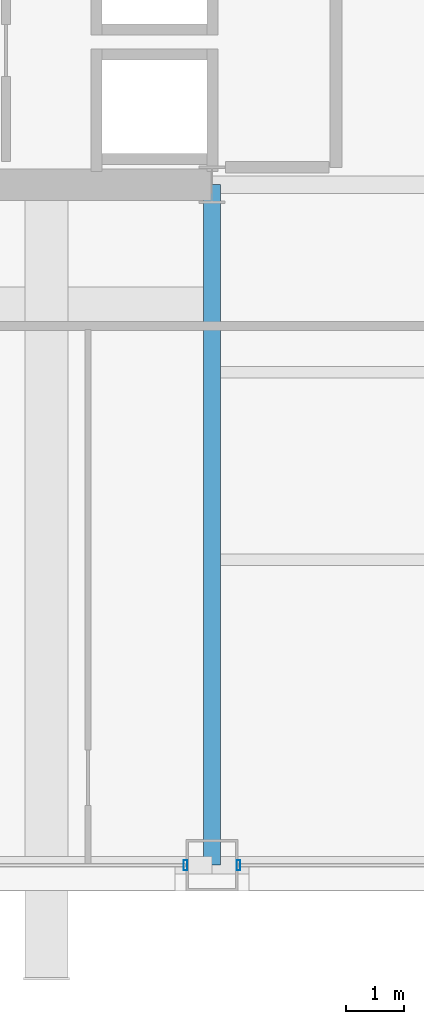
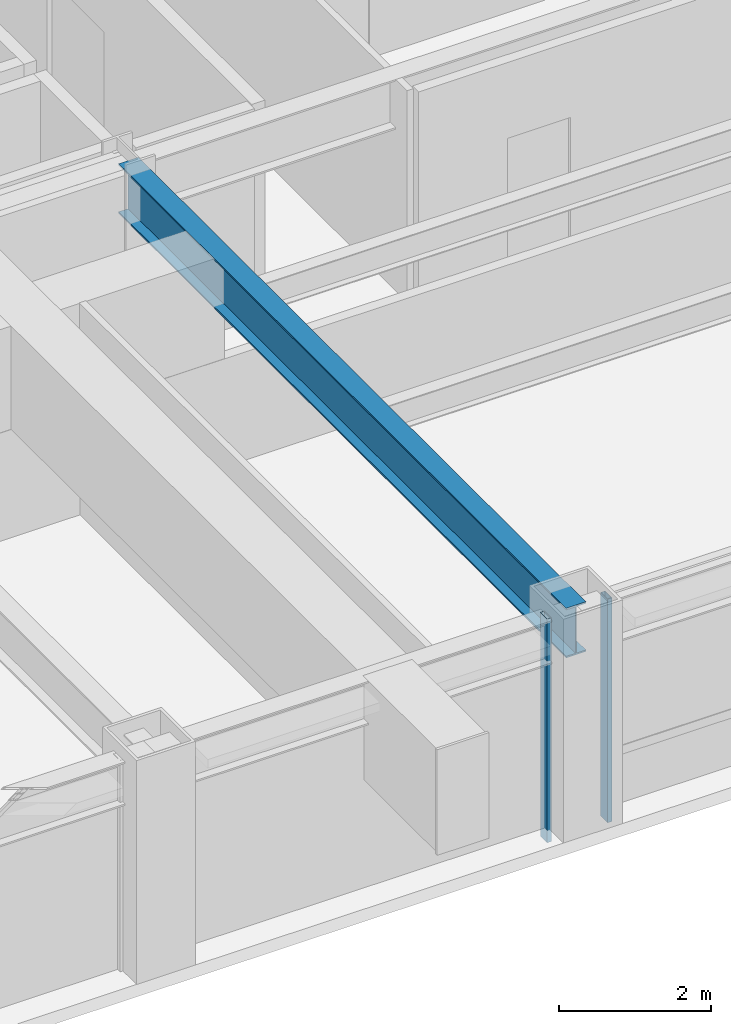
# One storey, part 6 of 29: 2 members, 1 beam, 2 elements without a shape of their own.
"""IFC4 building model written with IfcOpenShell, lengths in metres."""

import ifcopenshell
import ifcopenshell.guid

model = None  # the IFC model being written
_history = None  # IfcOwnerHistory: only IFC2X3 demands one
_inside = {}  # id of a spatial element -> (the spatial element, [elements in it])
_under = {}  # id of a project, library or spatial element -> (it, [spatial elements below it])
_declared = {}  # id of a project -> (the project, [libraries it declares])
_typed = {}  # id of a type object -> (the type object, [elements of that type])
_made_of = {}  # id of a material, layer set ... -> (it, [elements and type objects made of it])


def new_model(schema):
    """Start an empty IFC model of exactly this schema.

    Asked for "IFC4X3", IfcOpenShell would pick the latest addendum, in which some entities
    have other attributes; the version numbers below select the first issue.
    IFC2X3 requires an IfcOwnerHistory on every rooted entity: one is made here for all.
    """
    global model, _history
    if schema == "IFC4X3":
        model = ifcopenshell.file(schema_version=(4, 3, 0, 0))
    else:
        model = ifcopenshell.file(schema=schema)
    _inside.clear()
    _under.clear()
    _declared.clear()
    _typed.clear()
    _made_of.clear()
    _history = None
    if model.schema == "IFC2X3":
        org = make("IfcOrganization", Name="unknown")
        user = make(
            "IfcPersonAndOrganization",
            ThePerson=make("IfcPerson", FamilyName="unknown"),
            TheOrganization=org,
        )
        app = make(
            "IfcApplication",
            ApplicationDeveloper=org,
            Version="unknown",
            ApplicationFullName="unknown",
            ApplicationIdentifier="unknown",
        )
        _history = make(
            "IfcOwnerHistory",
            OwningUser=user,
            OwningApplication=app,
            ChangeAction="ADDED",
            CreationDate=0,
        )
    return model


def make(cls, **values):
    """One entity of the class cls with the attributes given. An attribute that is None is left unset."""
    return model.create_entity(
        cls, **{name: value for name, value in values.items() if value is not None}
    )


def rooted(cls, **values):
    """An entity with a GlobalId (a new one), such as an element, a storey or a relation."""
    return make(cls, GlobalId=ifcopenshell.guid.new(), OwnerHistory=_history, **values)


def si_unit(unit_type, name, prefix=None):
    """IfcSIUnit, for example si_unit("LENGTHUNIT", "METRE", prefix="MILLI")."""
    return make("IfcSIUnit", UnitType=unit_type, Prefix=prefix, Name=name)


def assignment(units):
    """IfcUnitAssignment: the units of a project."""
    return None if units is None else make("IfcUnitAssignment", Units=units)


def point(xyz):
    """IfcCartesianPoint."""
    return None if xyz is None else make("IfcCartesianPoint", Coordinates=xyz)


def direction(xyz):
    """IfcDirection."""
    return None if xyz is None else make("IfcDirection", DirectionRatios=xyz)


def frame(location, z_axis=None, x_axis=None):
    """IfcAxis2Placement3D, a coordinate frame: its origin and axes. An axis left out is left unset."""
    return make(
        "IfcAxis2Placement3D",
        Location=point(location),
        Axis=direction(z_axis),
        RefDirection=direction(x_axis),
    )


def frame_2d(location, x_axis=None):
    """IfcAxis2Placement2D, a coordinate frame in the plane: its origin and x axis."""
    return make(
        "IfcAxis2Placement2D", Location=point(location), RefDirection=direction(x_axis)
    )


def origin():
    """The frame at (0, 0, 0) with its axes left unset."""
    return frame((0.0, 0.0, 0.0))


def origin_2d():
    """The frame at (0, 0) in the plane with its x axis left unset."""
    return frame_2d((0.0, 0.0))


def place(relative_to, where):
    """IfcLocalPlacement: puts the frame where relative to a parent placement (None: the world)."""
    return make(
        "IfcLocalPlacement", PlacementRelTo=relative_to, RelativePlacement=where
    )


def context(
    kind, dimensions, precision=None, world=None, true_north=None, identifier=None
):
    """IfcGeometricRepresentationContext, for example the 3D "Model" context."""
    return make(
        "IfcGeometricRepresentationContext",
        ContextIdentifier=identifier,
        ContextType=kind,
        CoordinateSpaceDimension=dimensions,
        Precision=precision,
        WorldCoordinateSystem=world,
        TrueNorth=true_north,
    )


def subcontext(parent, identifier, kind, view, scale=None):
    """IfcGeometricRepresentationSubContext, for example "Body" below "Model"."""
    return make(
        "IfcGeometricRepresentationSubContext",
        ContextIdentifier=identifier,
        ContextType=kind,
        ParentContext=parent,
        TargetScale=scale,
        TargetView=view,
    )


def project(units=None, contexts=None):
    """IfcProject with its units and contexts."""
    return rooted(
        "IfcProject",
        Name="project",
        RepresentationContexts=contexts,
        UnitsInContext=assignment(units),
    )


def spatial(cls, under=None, at=None, **own):
    """A site, building, storey or space (cls), placed at a placement, below another one or the project."""
    s = rooted(cls, ObjectPlacement=at, **own)
    if under is not None:
        _under.setdefault(under.id(), (under, []))[1].append(s)
    return s


def profile(cls, at=None, kind="AREA", **sizes):
    """A parametric profile (cls). Its sizes go by their IFC names, for example OverallWidth=200.0."""
    return make(cls, ProfileType=kind, Position=at, **sizes)


def hollow_rectangle(**sizes):
    """IfcRectangleHollowProfileDef."""
    return profile("IfcRectangleHollowProfileDef", **sizes)


def i_section(**sizes):
    """IfcIShapeProfileDef."""
    return profile("IfcIShapeProfileDef", **sizes)


def extrude(swept, where, along, depth):
    """IfcExtrudedAreaSolid: the profile swept, set in the frame where, extruded along a direction by depth."""
    return make(
        "IfcExtrudedAreaSolid",
        SweptArea=swept,
        Position=where,
        ExtrudedDirection=direction(along),
        Depth=depth,
    )


def shape(context_of_items, identifier, shape_type, items):
    """IfcShapeRepresentation: the items that make up one representation, for example the "Body"."""
    return make(
        "IfcShapeRepresentation",
        ContextOfItems=context_of_items,
        RepresentationIdentifier=identifier,
        RepresentationType=shape_type,
        Items=items,
    )


def material(Name=None, Category=None):
    """IfcMaterial."""
    return make("IfcMaterial", Name=Name, Category=Category)


def layer(
    of_material, thickness, ventilated=None, Name=None, Category=None, Priority=None
):
    """IfcMaterialLayer: one layer of a wall or slab, of a material (None: an air gap)."""
    return make(
        "IfcMaterialLayer",
        Material=of_material,
        LayerThickness=thickness,
        IsVentilated=ventilated,
        Name=Name,
        Category=Category,
        Priority=Priority,
    )


def layer_set(layers, Name=None):
    """IfcMaterialLayerSet."""
    return make("IfcMaterialLayerSet", MaterialLayers=layers, LayerSetName=Name)


def material_profile(
    of_material, cross_section, Name=None, Category=None, Priority=None
):
    """IfcMaterialProfile: a cross section and its material."""
    return make(
        "IfcMaterialProfile",
        Name=Name,
        Material=of_material,
        Profile=cross_section,
        Priority=Priority,
        Category=Category,
    )


def profile_set(profiles, Name=None, composite=None):
    """IfcMaterialProfileSet."""
    return make(
        "IfcMaterialProfileSet",
        Name=Name,
        MaterialProfiles=profiles,
        CompositeProfile=composite,
    )


def made_of(thing, what):
    """Note that an element or type object is made of a material, layer set ...; save() writes the relation."""
    if what is not None:
        _made_of.setdefault(what.id(), (what, []))[1].append(thing)
    return thing


def type_object(cls, material=None, **own):
    """A type object (cls), such as IfcWallType, which elements share."""
    return made_of(rooted(cls, **own), material)


def element(
    cls,
    number,
    at=None,
    inside=None,
    cuts=None,
    type_object=None,
    material=None,
    context=None,
    identifier="Body",
    shape_type=None,
    held_by="IfcProductDefinitionShape",
    body=None,
    shapes=None,
    **own,
):
    """One element of the class cls, such as IfcWall. Its Tag is "e" and its number.

    at: its placement. inside: the storey or other place that contains it. cuts: it is an
    opening in that element (IfcRelVoidsElement). A single representation is given by context,
    identifier, shape_type and body (its items); several are given by shapes. held_by: the class
    of the entity that holds the representations. save() writes the other relations.
    """
    e = rooted(cls, Tag="e%d" % number, ObjectPlacement=at, **own)
    if body is not None:
        shapes = [shape(context, identifier, shape_type, body)]
    if shapes is not None:
        e.Representation = make(held_by, Representations=shapes)
    if inside is not None:
        _inside.setdefault(inside.id(), (inside, []))[1].append(e)
    if cuts is not None:
        rooted(
            "IfcRelVoidsElement", RelatingBuildingElement=cuts, RelatedOpeningElement=e
        )
    if type_object is not None:
        _typed.setdefault(type_object.id(), (type_object, []))[1].append(e)
    return made_of(e, material)


def aggregate(whole, parts):
    """IfcRelAggregates: a whole, such as a stair, and the parts it consists of."""
    return rooted("IfcRelAggregates", RelatingObject=whole, RelatedObjects=parts)


def save(model, path):
    """Write the relations noted so far, then the file.

    IfcRelAggregates (storeys below a building ...), IfcRelContainedInSpatialStructure (elements
    in a storey), IfcRelDefinesByType, IfcRelAssociatesMaterial and IfcRelDeclares: one each for
    every whole, place, type object, material and project.
    """
    for whole, parts in _under.values():
        aggregate(whole, parts)
    for where, things in _inside.values():
        rooted(
            "IfcRelContainedInSpatialStructure",
            RelatedElements=things,
            RelatingStructure=where,
        )
    for kind, things in _typed.values():
        rooted("IfcRelDefinesByType", RelatedObjects=things, RelatingType=kind)
    for what, things in _made_of.values():
        rooted("IfcRelAssociatesMaterial", RelatedObjects=things, RelatingMaterial=what)
    for by, libraries in _declared.values():
        rooted("IfcRelDeclares", RelatingContext=by, RelatedDefinitions=libraries)
    model.write(path)


model = new_model("IFC4")

# Units and contexts
model_context = context("Model", 3, precision=1e-05, world=origin(), true_north=direction((0.0, 1.0)))
body_context = subcontext(model_context, "Body", "Model", "MODEL_VIEW")
ifc_project = project(units=[si_unit("LENGTHUNIT", "METRE"), si_unit("AREAUNIT", "SQUARE_METRE"), si_unit("VOLUMEUNIT", "CUBIC_METRE"), si_unit("PLANEANGLEUNIT", "RADIAN"), si_unit("MASSUNIT", "GRAM", prefix="KILO")], contexts=[model_context])

# Site, building, storey
site_placement = place(None, origin())
site = spatial("IfcSite", under=ifc_project, at=site_placement, CompositionType="ELEMENT")
building_placement = place(site_placement, origin())
building = spatial("IfcBuilding", under=site, at=building_placement, Name="Brelmoor Portico Tower", CompositionType="ELEMENT")
storey_placement = place(building_placement, frame((0.0, 0.0, 52.800048828125)))
storey = spatial("IfcBuildingStorey", under=building, at=storey_placement, Name="L13", CompositionType="ELEMENT", Elevation=52.800048828125)

# Beam
ifc_material_1 = material(Name="Steel Q355B", Category="steel")
ifc_material_profile_1 = material_profile(ifc_material_1, i_section(OverallWidth=0.300048828125, OverallDepth=0.800048828125, WebThickness=0.013916015625, FlangeThickness=0.02587890625, at=origin_2d()), Name="HN 800x300x14x26")
ifc_profile_set_1 = profile_set([ifc_material_profile_1], Name="Steel Q355B")
beam_type = type_object("IfcBeamType", Name="BM-PG-800", PredefinedType="BEAM", material=ifc_profile_set_1)
beam_placement = place(storey_placement, frame((-8.050048828125, -21.550048828125, 3.0), z_axis=(0.0, 1.0, 0.0), x_axis=(-1.0, 0.0, 0.0)))
element("IfcBeam", 1, at=beam_placement, inside=storey, type_object=beam_type, Name="L13 Primary Floor Girder PG-07", PredefinedType="BEAM", context=body_context, shape_type="SweptSolid", body=[
    extrude(i_section(OverallWidth=0.300048828125, OverallDepth=0.800048828125, WebThickness=0.013916015625, FlangeThickness=0.02587890625, at=origin_2d()), origin(), (0.0, 0.0, 1.0), 11.800048828125),
])

# Curtain wall, member
ifc_material_2 = material(Name="Anodised Aluminium Alloy 6063-T6", Category="aluminium")
ifc_layer_1 = layer(ifc_material_2, 0.179931640625)
ifc_layer_set_1 = layer_set([ifc_layer_1], Name="Anodised Aluminium Alloy 6063-T6")
curtain_wall_type_1 = type_object("IfcCurtainWallType", Name="CW-TOWER-Z1-XB", PredefinedType="NOTDEFINED", material=ifc_layer_set_1)
curtain_wall_1_placement = place(storey_placement, origin())
curtain_wall_1 = element("IfcCurtainWall", 2, at=curtain_wall_1_placement, inside=storey, type_object=curtain_wall_type_1, Name="L13 Curtain Wall CW-L13-01-2", PredefinedType="NOTDEFINED")
ifc_material_profile_2 = material_profile(ifc_material_2, hollow_rectangle(XDim=0.06494140625, YDim=0.179931640625, WallThickness=0.00390625, at=origin_2d()), Name="ALU MULLION 65x180")
ifc_profile_set_2 = profile_set([ifc_material_profile_2], Name="Anodised Aluminium Alloy 6063-T6")
member_type = type_object("IfcMemberType", Name="MB-CW-MULL-180", PredefinedType="MULLION", material=ifc_profile_set_2)
member_1_placement = place(storey_placement, frame((-8.510009765625, -21.550048828125, -0.199951171875), z_axis=(0.0, 0.0, 1.0), x_axis=(1.0, 0.0, 0.0)))
member_1 = element("IfcMember", 3, at=member_1_placement, type_object=member_type, Name="CW-L13-01-2 Mullion 01", PredefinedType="MULLION", context=body_context, shape_type="SweptSolid", body=[
    extrude(hollow_rectangle(XDim=0.06494140625, YDim=0.179931640625, WallThickness=0.00390625, at=origin_2d()), origin(), (0.0, 0.0, 1.0), 3.599853515625),
])
aggregate(curtain_wall_1, [member_1])

ifc_layer_2 = layer(ifc_material_2, 0.179931640625)
ifc_layer_set_2 = layer_set([ifc_layer_2], Name="Anodised Aluminium Alloy 6063-T6")
curtain_wall_type_2 = type_object("IfcCurtainWallType", Name="CW-TOWER-Z1", PredefinedType="NOTDEFINED", material=ifc_layer_set_2)
curtain_wall_2_placement = place(storey_placement, origin())
curtain_wall_2 = element("IfcCurtainWall", 4, at=curtain_wall_2_placement, inside=storey, type_object=curtain_wall_type_2, Name="L13 Curtain Wall CW-L13-01-3", PredefinedType="NOTDEFINED")
member_2_placement = place(storey_placement, frame((-7.590087890625, -21.550048828125, -0.199951171875), z_axis=(0.0, 0.0, 1.0), x_axis=(1.0, 0.0, 0.0)))
member_2 = element("IfcMember", 5, at=member_2_placement, type_object=member_type, Name="CW-L13-01-3 Mullion 00", PredefinedType="MULLION", context=body_context, shape_type="SweptSolid", body=[
    extrude(hollow_rectangle(XDim=0.06494140625, YDim=0.179931640625, WallThickness=0.00390625, at=origin_2d()), origin(), (0.0, 0.0, 1.0), 3.599853515625),
])
aggregate(curtain_wall_2, [member_2])

save(model, "model.ifc")
